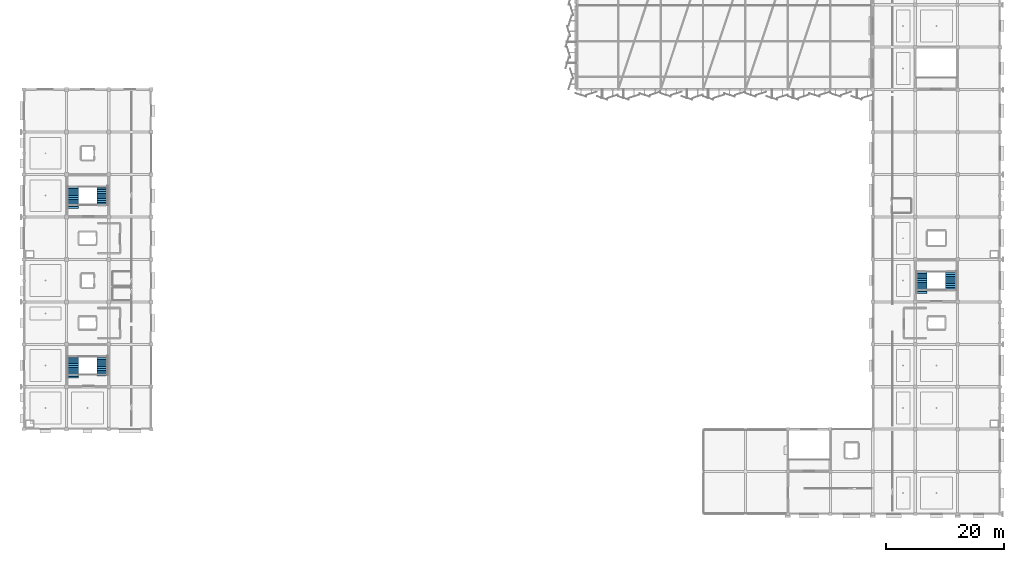
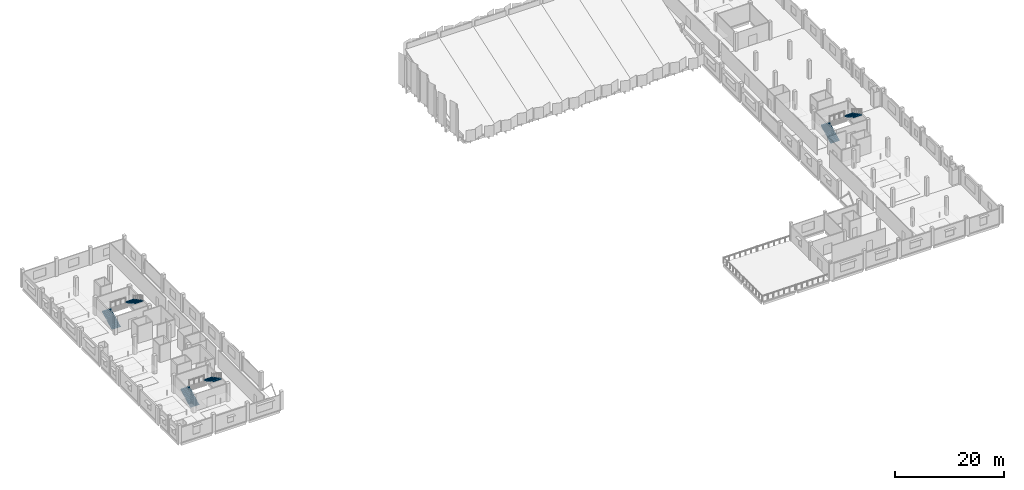
# One storey, part 46 of 59: 6 stair flights, 3 elements without a shape of their own.
"""IFC4 building model written with IfcOpenShell, lengths in metres."""

from ifc_helpers import new_model, si_unit, direction, frame, origin, place, context, subcontext, project, spatial, polyline, outline, extrude, material, type_object, element, aggregate, save


model = new_model("IFC4")

# Units and contexts
model_context = context("Model", 3, precision=1e-05, world=origin(), true_north=direction((0.0, 1.0)))
body_context = subcontext(model_context, "Body", "Model", "MODEL_VIEW")
ifc_project = project(units=[si_unit("LENGTHUNIT", "METRE"), si_unit("AREAUNIT", "SQUARE_METRE"), si_unit("VOLUMEUNIT", "CUBIC_METRE"), si_unit("PLANEANGLEUNIT", "RADIAN"), si_unit("MASSUNIT", "GRAM", prefix="KILO")], contexts=[model_context])

# Site, building, storey
site_placement = place(None, origin())
site = spatial("IfcSite", under=ifc_project, at=site_placement, CompositionType="ELEMENT")
building_placement = place(site_placement, origin())
building = spatial("IfcBuilding", under=site, at=building_placement, Name="Kangsadwip Square Police Headquarters", CompositionType="ELEMENT")
storey_placement = place(building_placement, frame((0.0, 0.0, 21.60009765625)))
storey = spatial("IfcBuildingStorey", under=building, at=storey_placement, Name="L05", CompositionType="ELEMENT", Elevation=21.60009765625)

# Stair, stair flight
ifc_material_1 = material(Name="Concrete M35 (35 MPa)", Category="concrete")
stair_type = type_object("IfcStairType", Name="Stair2FlightTypW1850", PredefinedType="HALF_TURN_STAIR", material=ifc_material_1)
stair_1_placement = place(storey_placement, origin())
stair_1 = element("IfcStair", 1, at=stair_1_placement, inside=storey, type_object=stair_type, Name="Protected Stair ST-01 L05", PredefinedType="HALF_TURN_STAIR")
ifc_material_2 = material(Name="Concrete M35 (35 MPa)", Category="concrete")
stair_flight_type_1 = type_object("IfcStairFlightType", Name="Flight12RTypW1850", PredefinedType="STRAIGHT", material=ifc_material_2)
stair_flight_1_placement = place(storey_placement, frame((13.294921875, 48.4599609375, 2.10595703125), z_axis=(0.0, 0.0, 1.0), x_axis=(0.0, -1.0, 0.0)))
stair_flight_1 = element("IfcStairFlight", 2, at=stair_flight_1_placement, type_object=stair_flight_type_1, Name="ST-01 flight 2", NumberOfRisers=12, NumberOfTreads=11, PredefinedType="STRAIGHT", RiserHeight=0.162, TreadLength=0.31, context=body_context, shape_type="SweptSolid", body=[
    extrude(outline(polyline([(0.0, 0.0), (0.0, 0.162109375), (0.31005859375, 0.162109375), (0.31005859375, 0.323974609375), (0.6201171875, 0.323974609375), (0.6201171875, 0.486083984375), (0.929931640625, 0.486083984375), (0.929931640625, 0.64794921875), (1.239990234375, 0.64794921875), (1.239990234375, 0.81005859375), (1.550048828125, 0.81005859375), (1.550048828125, 0.971923828125), (1.860107421875, 0.971923828125), (1.860107421875, 1.134033203125), (2.169921875, 1.134033203125), (2.169921875, 1.2958984375), (2.47998046875, 1.2958984375), (2.47998046875, 1.4580078125), (2.7900390625, 1.4580078125), (2.7900390625, 1.6201171875), (3.10009765625, 1.6201171875), (3.10009765625, 1.781982421875), (3.409912109375, 1.781982421875), (3.409912109375, 1.944091796875), (3.409912109375, 1.6015625), (0.34521484375, 0.0), (0.0, 0.0)])), frame((0.0, 0.925048828125, 0.0), z_axis=(0.0, -1.0, 0.0), x_axis=(1.0, 0.0, 0.0)), (0.0, 0.0, 1.0), 1.85009765625),
])

stair_2_placement = place(storey_placement, origin())
stair_2 = element("IfcStair", 3, at=stair_2_placement, inside=storey, type_object=stair_type, Name="Protected Stair ST-02 L05", PredefinedType="HALF_TURN_STAIR")
stair_flight_2_placement = place(storey_placement, frame((13.294921875, 77.260009765625, 2.10595703125), z_axis=(0.0, 0.0, 1.0), x_axis=(0.0, -1.0, 0.0)))
stair_flight_2 = element("IfcStairFlight", 4, at=stair_flight_2_placement, type_object=stair_flight_type_1, Name="ST-02 flight 2", NumberOfRisers=12, NumberOfTreads=11, PredefinedType="STRAIGHT", RiserHeight=0.162, TreadLength=0.31, context=body_context, shape_type="SweptSolid", body=[
    extrude(outline(polyline([(0.0, 0.0), (0.0, 0.162109375), (0.31005859375, 0.162109375), (0.31005859375, 0.323974609375), (0.6201171875, 0.323974609375), (0.6201171875, 0.486083984375), (0.929931640625, 0.486083984375), (0.929931640625, 0.64794921875), (1.239990234375, 0.64794921875), (1.239990234375, 0.81005859375), (1.550048828125, 0.81005859375), (1.550048828125, 0.971923828125), (1.860107421875, 0.971923828125), (1.860107421875, 1.134033203125), (2.169921875, 1.134033203125), (2.169921875, 1.2958984375), (2.47998046875, 1.2958984375), (2.47998046875, 1.4580078125), (2.7900390625, 1.4580078125), (2.7900390625, 1.6201171875), (3.10009765625, 1.6201171875), (3.10009765625, 1.781982421875), (3.409912109375, 1.781982421875), (3.409912109375, 1.944091796875), (3.409912109375, 1.6015625), (0.34521484375, 0.0), (0.0, 0.0)])), frame((0.0, 0.925048828125, 0.0), z_axis=(0.0, -1.0, 0.0), x_axis=(1.0, 0.0, 0.0)), (0.0, 0.0, 1.0), 1.85009765625),
])

stair_3_placement = place(storey_placement, origin())
stair_3 = element("IfcStair", 5, at=stair_3_placement, inside=storey, type_object=stair_type, Name="Protected Stair ST-03 L05", PredefinedType="HALF_TURN_STAIR")
stair_flight_3_placement = place(storey_placement, frame((157.294921875, 62.860107421875, 2.10595703125), z_axis=(0.0, 0.0, 1.0), x_axis=(0.0, -1.0, 0.0)))
stair_flight_3 = element("IfcStairFlight", 6, at=stair_flight_3_placement, type_object=stair_flight_type_1, Name="ST-03 flight 2", NumberOfRisers=12, NumberOfTreads=11, PredefinedType="STRAIGHT", RiserHeight=0.162, TreadLength=0.31, context=body_context, shape_type="SweptSolid", body=[
    extrude(outline(polyline([(0.0, 0.0), (0.0, 0.162109375), (0.31005859375, 0.162109375), (0.31005859375, 0.323974609375), (0.6201171875, 0.323974609375), (0.6201171875, 0.486083984375), (0.929931640625, 0.486083984375), (0.929931640625, 0.64794921875), (1.239990234375, 0.64794921875), (1.239990234375, 0.81005859375), (1.550048828125, 0.81005859375), (1.550048828125, 0.971923828125), (1.860107421875, 0.971923828125), (1.860107421875, 1.134033203125), (2.169921875, 1.134033203125), (2.169921875, 1.2958984375), (2.47998046875, 1.2958984375), (2.47998046875, 1.4580078125), (2.7900390625, 1.4580078125), (2.7900390625, 1.6201171875), (3.10009765625, 1.6201171875), (3.10009765625, 1.781982421875), (3.409912109375, 1.781982421875), (3.409912109375, 1.944091796875), (3.409912109375, 1.6015625), (0.34521484375, 0.0), (0.0, 0.0)])), frame((0.0, 0.925048828125, 0.0), z_axis=(0.0, -1.0, 0.0), x_axis=(1.0, 0.0, 0.0)), (0.0, 0.0, 1.0), 1.85009765625),
])

# Stair flight
ifc_material_3 = material(Name="Concrete M35 (35 MPa)", Category="concrete")
stair_flight_type_2 = type_object("IfcStairFlightType", Name="Flight13RTypW1850", PredefinedType="STRAIGHT", material=ifc_material_3)
stair_flight_4_placement = place(storey_placement, frame((8.304931640625, 44.639892578125, 0.0), z_axis=(0.0, 0.0, 1.0), x_axis=(0.0, 1.0, 0.0)))
stair_flight_4 = element("IfcStairFlight", 7, at=stair_flight_4_placement, type_object=stair_flight_type_2, Name="ST-01 flight 1", NumberOfRisers=13, NumberOfTreads=12, PredefinedType="STRAIGHT", RiserHeight=0.162, TreadLength=0.31, context=body_context, shape_type="SweptSolid", body=[
    extrude(outline(polyline([(0.0, 0.0), (0.0, 0.162109375), (0.31005859375, 0.162109375), (0.31005859375, 0.323974609375), (0.6201171875, 0.323974609375), (0.6201171875, 0.486083984375), (0.929931640625, 0.486083984375), (0.929931640625, 0.64794921875), (1.239990234375, 0.64794921875), (1.239990234375, 0.81005859375), (1.550048828125, 0.81005859375), (1.550048828125, 0.971923828125), (1.860107421875, 0.971923828125), (1.860107421875, 1.134033203125), (2.169921875, 1.134033203125), (2.169921875, 1.2958984375), (2.47998046875, 1.2958984375), (2.47998046875, 1.4580078125), (2.7900390625, 1.4580078125), (2.7900390625, 1.6201171875), (3.10009765625, 1.6201171875), (3.10009765625, 1.781982421875), (3.409912109375, 1.781982421875), (3.409912109375, 1.944091796875), (3.719970703125, 1.944091796875), (3.719970703125, 2.10595703125), (3.719970703125, 1.763671875), (0.34521484375, 0.0), (0.0, 0.0)])), frame((0.0, 0.925048828125, 0.0), z_axis=(0.0, -1.0, 0.0), x_axis=(1.0, 0.0, 0.0)), (0.0, 0.0, 1.0), 1.85009765625),
])

aggregate(stair_1, [stair_flight_4, stair_flight_1])

stair_flight_5_placement = place(storey_placement, frame((8.304931640625, 73.43994140625, 0.0), z_axis=(0.0, 0.0, 1.0), x_axis=(0.0, 1.0, 0.0)))
stair_flight_5 = element("IfcStairFlight", 8, at=stair_flight_5_placement, type_object=stair_flight_type_2, Name="ST-02 flight 1", NumberOfRisers=13, NumberOfTreads=12, PredefinedType="STRAIGHT", RiserHeight=0.162, TreadLength=0.31, context=body_context, shape_type="SweptSolid", body=[
    extrude(outline(polyline([(0.0, 0.0), (0.0, 0.162109375), (0.31005859375, 0.162109375), (0.31005859375, 0.323974609375), (0.6201171875, 0.323974609375), (0.6201171875, 0.486083984375), (0.929931640625, 0.486083984375), (0.929931640625, 0.64794921875), (1.239990234375, 0.64794921875), (1.239990234375, 0.81005859375), (1.550048828125, 0.81005859375), (1.550048828125, 0.971923828125), (1.860107421875, 0.971923828125), (1.860107421875, 1.134033203125), (2.169921875, 1.134033203125), (2.169921875, 1.2958984375), (2.47998046875, 1.2958984375), (2.47998046875, 1.4580078125), (2.7900390625, 1.4580078125), (2.7900390625, 1.6201171875), (3.10009765625, 1.6201171875), (3.10009765625, 1.781982421875), (3.409912109375, 1.781982421875), (3.409912109375, 1.944091796875), (3.719970703125, 1.944091796875), (3.719970703125, 2.10595703125), (3.719970703125, 1.763671875), (0.34521484375, 0.0), (0.0, 0.0)])), frame((0.0, 0.925048828125, 0.0), z_axis=(0.0, -1.0, 0.0), x_axis=(1.0, 0.0, 0.0)), (0.0, 0.0, 1.0), 1.85009765625),
])

aggregate(stair_2, [stair_flight_5, stair_flight_2])

stair_flight_6_placement = place(storey_placement, frame((152.304931640625, 59.0400390625, 0.0), z_axis=(0.0, 0.0, 1.0), x_axis=(0.0, 1.0, 0.0)))
stair_flight_6 = element("IfcStairFlight", 9, at=stair_flight_6_placement, type_object=stair_flight_type_2, Name="ST-03 flight 1", NumberOfRisers=13, NumberOfTreads=12, PredefinedType="STRAIGHT", RiserHeight=0.162, TreadLength=0.31, context=body_context, shape_type="SweptSolid", body=[
    extrude(outline(polyline([(0.0, 0.0), (0.0, 0.162109375), (0.31005859375, 0.162109375), (0.31005859375, 0.323974609375), (0.6201171875, 0.323974609375), (0.6201171875, 0.486083984375), (0.929931640625, 0.486083984375), (0.929931640625, 0.64794921875), (1.239990234375, 0.64794921875), (1.239990234375, 0.81005859375), (1.550048828125, 0.81005859375), (1.550048828125, 0.971923828125), (1.860107421875, 0.971923828125), (1.860107421875, 1.134033203125), (2.169921875, 1.134033203125), (2.169921875, 1.2958984375), (2.47998046875, 1.2958984375), (2.47998046875, 1.4580078125), (2.7900390625, 1.4580078125), (2.7900390625, 1.6201171875), (3.10009765625, 1.6201171875), (3.10009765625, 1.781982421875), (3.409912109375, 1.781982421875), (3.409912109375, 1.944091796875), (3.719970703125, 1.944091796875), (3.719970703125, 2.10595703125), (3.719970703125, 1.763671875), (0.34521484375, 0.0), (0.0, 0.0)])), frame((0.0, 0.925048828125, 0.0), z_axis=(0.0, -1.0, 0.0), x_axis=(1.0, 0.0, 0.0)), (0.0, 0.0, 1.0), 1.85009765625),
])

aggregate(stair_3, [stair_flight_6, stair_flight_3])

save(model, "model.ifc")
